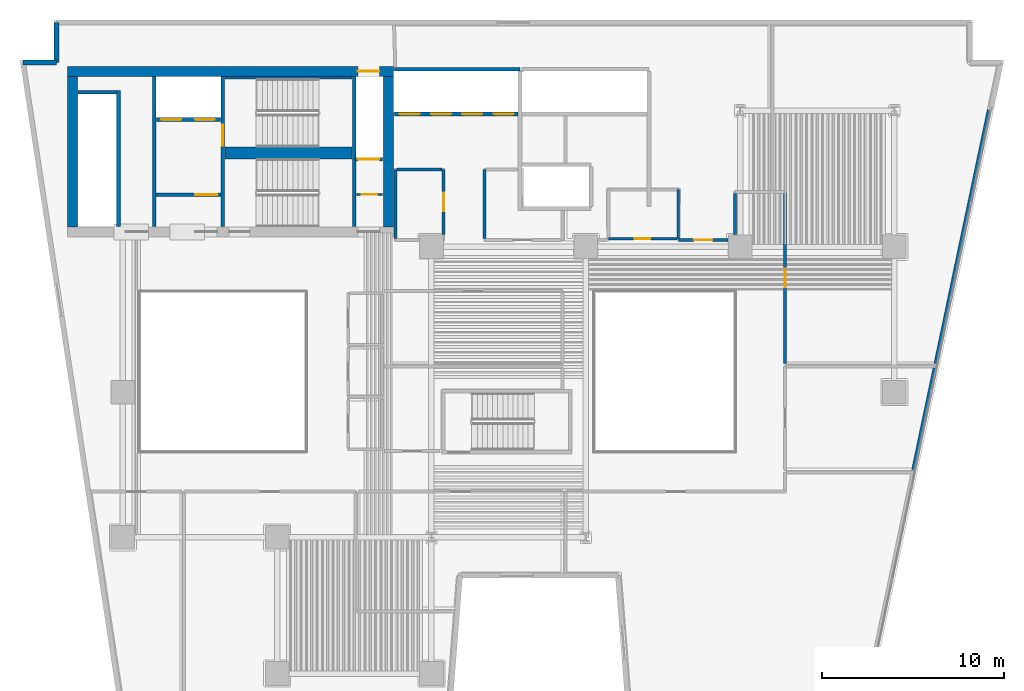
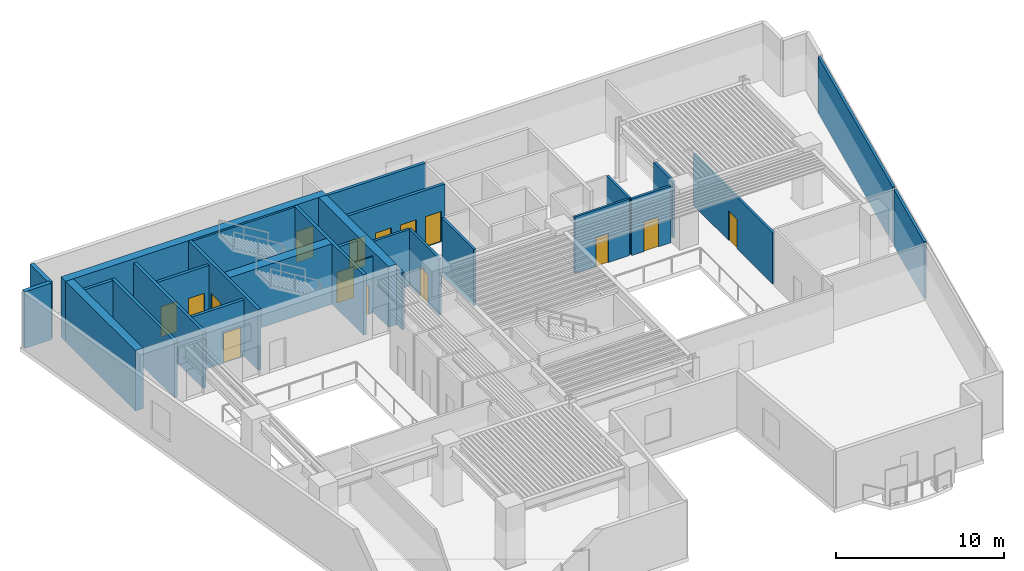
# One storey, part 5 of 11: 29 walls, 15 doors, 15 openings.
"""IFC4 building model written with IfcOpenShell, lengths in metres."""

from ifc_helpers import new_model, si_unit, direction, frame, frame_2d, origin, place, context, subcontext, project, spatial, rectangle, extrude, material, layer, layer_set, type_object, element, fill, save


model = new_model("IFC4")

# Units and contexts
model_context = context("Model", 3, precision=1e-05, world=origin(), true_north=direction((0.0, 1.0)))
body_context = subcontext(model_context, "Body", "Model", "MODEL_VIEW")
ifc_project = project(units=[si_unit("LENGTHUNIT", "METRE"), si_unit("AREAUNIT", "SQUARE_METRE"), si_unit("VOLUMEUNIT", "CUBIC_METRE"), si_unit("PLANEANGLEUNIT", "RADIAN"), si_unit("MASSUNIT", "GRAM", prefix="KILO")], contexts=[model_context])

# Site, building, storey
site_placement = place(None, origin())
site = spatial("IfcSite", under=ifc_project, at=site_placement, CompositionType="ELEMENT")
building_placement = place(site_placement, origin())
building = spatial("IfcBuilding", under=site, at=building_placement, Name="Caeloran Harvest Quay", CompositionType="ELEMENT")
storey_placement = place(building_placement, frame((0.0, 0.0, 75.39990234375)))
storey = spatial("IfcBuildingStorey", under=building, at=storey_placement, Name="L17", CompositionType="ELEMENT", Elevation=75.39990234375)

# Walls
ifc_material_1 = material(Name="Precast concrete C50/60", Category="concrete")
ifc_layer_1 = layer(ifc_material_1, 0.280029296875, Name="Precast concrete C50/60")
ifc_layer_set_1 = layer_set([ifc_layer_1], Name="Precast concrete C50/60")
wall_type_1 = type_object("IfcWallType", Name="ENV-WALL-EW-280", PredefinedType="STANDARD", material=ifc_layer_set_1)
wall_1_placement = place(storey_placement, frame((2.99755859375, 41.159912109375, 0.0), z_axis=(0.0, 0.0, 1.0), x_axis=(1.0, 0.0, 0.0)))
element("IfcWall", 1, at=wall_1_placement, inside=storey, type_object=wall_type_1, Name="L17 Exterior Precast Concrete Facade Wall 4", PredefinedType="STANDARD", context=body_context, shape_type="SweptSolid", body=[
    extrude(rectangle(XDim=1.842529296875, YDim=0.280029296875, at=frame_2d((0.92138671875, 0.0))), origin(), (0.0, 0.0, 1.0), 4.114990234375),
])
wall_2_placement = place(storey_placement, frame((4.840087890625, 41.159912109375, 0.0), z_axis=(0.0, 0.0, 1.0), x_axis=(0.0, 1.0, 0.0)))
element("IfcWall", 2, at=wall_2_placement, inside=storey, type_object=wall_type_1, Name="L17 Exterior Precast Concrete Facade Wall 5", PredefinedType="STANDARD", context=body_context, shape_type="SweptSolid", body=[
    extrude(rectangle(XDim=2.2001953125, YDim=0.280029296875, at=frame_2d((1.10009765625, 0.0))), origin(), (0.0, 0.0, 1.0), 4.114990234375),
])

# Wall, opening, door
ifc_material_2 = material(Name="Fire-Resisting Gypsum Core Riser Partition", Category="gypsum")
ifc_layer_2 = layer(ifc_material_2, 0.10009765625, Name="Fire-Resisting Gypsum Core Riser Partition")
ifc_layer_set_2 = layer_set([ifc_layer_2], Name="Fire-Resisting Gypsum Core Riser Partition")
wall_type_2 = type_object("IfcWallType", Name="INT-WALL-PW-100", PredefinedType="PARTITIONING", material=ifc_layer_set_2)
wall_3_placement = place(storey_placement, frame((21.3798828125, 33.889892578125, 0.0), z_axis=(0.0, 0.0, 1.0), x_axis=(1.0, 0.0, 0.0)))
wall_3 = element("IfcWall", 3, at=wall_3_placement, inside=storey, type_object=wall_type_2, Name="L17 Cleaner Store Partition Wall", PredefinedType="PARTITIONING", context=body_context, shape_type="SweptSolid", body=[
    extrude(rectangle(XDim=1.420166015625, YDim=0.10009765625, at=frame_2d((0.7099609375, 0.0))), origin(), (0.0, 0.0, 1.0), 4.114990234375),
])
opening_1_placement = place(wall_3_placement, frame((0.280029296875, 0.0, 0.0)))
opening_1 = element("IfcOpeningElement", 4, at=opening_1_placement, cuts=wall_3, Name="Opening SV-01", PredefinedType="OPENING", context=body_context, shape_type="SweptSolid", body=[
    extrude(rectangle(XDim=0.85009765625, YDim=2.10009765625, at=frame_2d((0.425048828125, 1.050048828125))), frame((0.0, 0.06005859375, 0.0), z_axis=(0.0, -1.0, 0.0), x_axis=(1.0, 0.0, 0.0)), (0.0, 0.0, 1.0), 0.1201171875),
])
ifc_material_3 = material(Name="Galvanized Painted Steel", Category="steel")
door_type_1 = type_object("IfcDoorType", Name="INTDOOR-SV-01", OperationType="NOTDEFINED", PredefinedType="DOOR", material=ifc_material_3)
door_1_placement = place(opening_1_placement, origin())
door_1 = element("IfcDoor", 5, at=door_1_placement, inside=storey, type_object=door_type_1, Name="L17 Cleaner Supply Store Access Door", OperationType="SINGLE_SWING_RIGHT", OverallHeight=2.10009765625, OverallWidth=0.85009765625, PredefinedType="DOOR", context=body_context, shape_type="SweptSolid", body=[
    extrude(rectangle(XDim=0.85009765625, YDim=2.10009765625, at=frame_2d((0.425048828125, 1.050048828125))), frame((0.0, 0.02490234375, 0.0), z_axis=(0.0, -1.0, 0.0), x_axis=(1.0, 0.0, 0.0)), (0.0, 0.0, 1.0), 0.050048828125),
])
fill(opening_1, door_1)

# Wall
ifc_material_4 = material(Name="Autoclaved Aerated Concrete Blockwork and Plasterboard", Category="masonry")
ifc_layer_3 = layer(ifc_material_4, 0.14990234375, Name="Autoclaved Aerated Concrete Blockwork and Plasterboard")
ifc_layer_set_3 = layer_set([ifc_layer_3], Name="Autoclaved Aerated Concrete Blockwork and Plasterboard")
wall_type_3 = type_object("IfcWallType", Name="INT-WALL-PW-150", PredefinedType="PARTITIONING", material=ifc_layer_set_3)
wall_4_placement = place(storey_placement, frame((39.10009765625, 34.14990234375, 0.0), z_axis=(0.0, 0.0, 1.0), x_axis=(0.0, -1.0, 0.0)))
element("IfcWall", 6, at=wall_4_placement, inside=storey, type_object=wall_type_3, Name="L17 Core Auxiliary Equipment Room Partition Wall", PredefinedType="PARTITIONING", context=body_context, shape_type="SweptSolid", body=[
    extrude(rectangle(XDim=2.699951171875, YDim=0.14990234375, at=frame_2d((1.35009765625, 0.0))), origin(), (0.0, 0.0, 1.0), 4.114990234375),
])

# Wall, opening, door
wall_5_placement = place(storey_placement, frame((39.02001953125, 31.449951171875, 0.0), z_axis=(0.0, 0.0, 1.0), x_axis=(-1.0, 0.0, 0.0)))
wall_5 = element("IfcWall", 7, at=wall_5_placement, inside=storey, type_object=wall_type_3, Name="L17 Core Auxiliary Equipment Room Partition Wall", PredefinedType="PARTITIONING", context=body_context, shape_type="SweptSolid", body=[
    extrude(rectangle(XDim=3.77001953125, YDim=0.14990234375, at=frame_2d((1.885009765625, 0.0))), origin(), (0.0, 0.0, 1.0), 4.114990234375),
])
opening_2_placement = place(wall_5_placement, frame((1.4599609375, 0.0, 0.0)))
opening_2 = element("IfcOpeningElement", 8, at=opening_2_placement, cuts=wall_5, Name="Opening SV-01", PredefinedType="OPENING", context=body_context, shape_type="SweptSolid", body=[
    extrude(rectangle(XDim=0.85009765625, YDim=2.10009765625, at=frame_2d((0.425048828125, 1.050048828125))), frame((0.0, 0.0849609375, 0.0), z_axis=(0.0, -1.0, 0.0), x_axis=(1.0, 0.0, 0.0)), (0.0, 0.0, 1.0), 0.169921875),
])
door_2_placement = place(opening_2_placement, origin())
door_2 = element("IfcDoor", 9, at=door_2_placement, inside=storey, type_object=door_type_1, Name="L17 Core Auxiliary Equipment Room Access Door", OperationType="SINGLE_SWING_LEFT", OverallHeight=2.10009765625, OverallWidth=0.85009765625, PredefinedType="DOOR", context=body_context, shape_type="SweptSolid", body=[
    extrude(rectangle(XDim=0.85009765625, YDim=2.10009765625, at=frame_2d((0.425048828125, 1.050048828125))), frame((0.0, 0.02490234375, 0.0), z_axis=(0.0, -1.0, 0.0), x_axis=(1.0, 0.0, 0.0)), (0.0, 0.0, 1.0), 0.050048828125),
])
fill(opening_2, door_2)

# Walls
ifc_material_5 = material(Name="Autoclaved Aerated Concrete Blockwork", Category="masonry")
ifc_layer_4 = layer(ifc_material_5, 0.1650390625, Name="Autoclaved Aerated Concrete Blockwork")
ifc_layer_set_4 = layer_set([ifc_layer_4], Name="Autoclaved Aerated Concrete Blockwork")
wall_type_4 = type_object("IfcWallType", Name="INT-WALL-PW-165", PredefinedType="PARTITIONING", material=ifc_layer_set_4)
wall_6_placement = place(storey_placement, frame((53.20751953125, 24.33251953125, 0.0), z_axis=(0.0, 0.0, 1.0), x_axis=(-0.20551396666, -0.978654182798, 0.0)))
element("IfcWall", 10, at=wall_6_placement, inside=storey, type_object=wall_type_4, Name="Packaging Crate Laboratory Partition Wall", PredefinedType="PARTITIONING", context=body_context, shape_type="SweptSolid", body=[
    extrude(rectangle(XDim=5.724853515625, YDim=0.1650390625, at=frame_2d((2.8623046875, 0.0))), origin(), (0.0, 0.0, 1.0), 4.114990234375),
])
wall_7_placement = place(storey_placement, frame((28.429931640625, 31.467529296875, 0.0), z_axis=(0.0, 0.0, 1.0), x_axis=(0.0, 1.0, 0.0)))
element("IfcWall", 11, at=wall_7_placement, inside=storey, type_object=wall_type_4, Name="Staff Wellness Lounge Partition Wall", PredefinedType="PARTITIONING", context=body_context, shape_type="SweptSolid", body=[
    extrude(rectangle(XDim=3.802490234375, YDim=0.1650390625, at=frame_2d((1.9013671875, 0.0))), origin(), (0.0, 0.0, 1.0), 4.114990234375),
])

# Wall, opening, door
wall_8_placement = place(storey_placement, frame((26.169921875, 35.27001953125, 0.0), z_axis=(0.0, 0.0, 1.0), x_axis=(0.0, -1.0, 0.0)))
wall_8 = element("IfcWall", 12, at=wall_8_placement, inside=storey, type_object=wall_type_4, Name="Dwarf Citrus Mezzanine Growing Hall 9 Partition Wall", PredefinedType="PARTITIONING", context=body_context, shape_type="SweptSolid", body=[
    extrude(rectangle(XDim=3.594970703125, YDim=0.1650390625, at=frame_2d((1.79736328125, 0.0))), origin(), (0.0, 0.0, 1.0), 4.114990234375),
])
opening_3_placement = place(wall_8_placement, frame((1.297607421875, 0.0, 0.0)))
opening_3 = element("IfcOpeningElement", 13, at=opening_3_placement, cuts=wall_8, Name="Opening ID-01", PredefinedType="OPENING", context=body_context, shape_type="SweptSolid", body=[
    extrude(rectangle(XDim=1.0, YDim=2.14990234375, at=frame_2d((0.5, 1.074951171875))), frame((0.0, 0.092529296875, 0.0), z_axis=(0.0, -1.0, 0.0), x_axis=(1.0, 0.0, 0.0)), (0.0, 0.0, 1.0), 0.18505859375),
])
ifc_material_6 = material(Name="FSC Solid-Core Ash Timber and Acoustic Seal", Category="wood")
door_type_2 = type_object("IfcDoorType", Name="INTDOOR-ID-01", OperationType="NOTDEFINED", PredefinedType="DOOR", material=ifc_material_6)
door_3_placement = place(opening_3_placement, origin())
door_3 = element("IfcDoor", 14, at=door_3_placement, inside=storey, type_object=door_type_2, Name="Dwarf Citrus Mezzanine Growing Hall 9 Access Door", OperationType="SINGLE_SWING_RIGHT", OverallHeight=2.14990234375, OverallWidth=1.0, PredefinedType="DOOR", context=body_context, shape_type="SweptSolid", body=[
    extrude(rectangle(XDim=1.0, YDim=2.14990234375, at=frame_2d((0.5, 1.074951171875))), frame((0.0, 0.02490234375, 0.0), z_axis=(0.0, -1.0, 0.0), x_axis=(1.0, 0.0, 0.0)), (0.0, 0.0, 1.0), 0.050048828125),
])
fill(opening_3, door_3)

# Walls
wall_9_placement = place(storey_placement, frame((23.510009765625, 31.467529296875, 0.0), z_axis=(0.0, 0.0, 1.0), x_axis=(0.0, 1.0, 0.0)))
element("IfcWall", 15, at=wall_9_placement, inside=storey, type_object=wall_type_4, Name="Dwarf Citrus Mezzanine Growing Hall 9 Partition Wall", PredefinedType="PARTITIONING", context=body_context, shape_type="SweptSolid", body=[
    extrude(rectangle(XDim=3.804443359375, YDim=0.1650390625, at=frame_2d((1.90234375, 0.0))), origin(), (0.0, 0.0, 1.0), 4.114990234375),
])
wall_10_placement = place(storey_placement, frame((23.597412109375, 35.27001953125, 0.0), z_axis=(0.0, 0.0, 1.0), x_axis=(1.0, 0.0, 0.0)))
element("IfcWall", 16, at=wall_10_placement, inside=storey, type_object=wall_type_4, Name="Dwarf Citrus Mezzanine Growing Hall 9 Partition Wall", PredefinedType="PARTITIONING", context=body_context, shape_type="SweptSolid", body=[
    extrude(rectangle(XDim=2.485107421875, YDim=0.1650390625, at=frame_2d((1.24267578125, 0.0))), origin(), (0.0, 0.0, 1.0), 4.114990234375),
])
wall_11_placement = place(storey_placement, frame((56.1943359375, 38.547607421875, 0.0), z_axis=(0.0, 0.0, 1.0), x_axis=(-0.205594071113, -0.978637357719, 0.0)))
element("IfcWall", 17, at=wall_11_placement, inside=storey, type_object=wall_type_4, Name="Medicinal Plant Aeroponic Room 10 Partition Wall", PredefinedType="PARTITIONING", context=body_context, shape_type="SweptSolid", body=[
    extrude(rectangle(XDim=14.2724609375, YDim=0.1650390625, at=frame_2d((7.13623046875, 0.0))), origin(), (0.0, 0.0, 1.0), 4.114990234375),
])

# Wall, opening, door
wall_12_placement = place(storey_placement, frame((44.97998046875, 24.580078125, 0.0), z_axis=(0.0, 0.0, 1.0), x_axis=(0.0, 1.0, 0.0)))
wall_12 = element("IfcWall", 18, at=wall_12_placement, inside=storey, type_object=wall_type_4, Name="Medicinal Plant Aeroponic Room 10 Partition Wall", PredefinedType="PARTITIONING", context=body_context, shape_type="SweptSolid", body=[
    extrude(rectangle(XDim=9.419921875, YDim=0.1650390625, at=frame_2d((4.7099609375, 0.0))), origin(), (0.0, 0.0, 1.0), 3.739990234375),
])
opening_4_placement = place(wall_12_placement, frame((4.2099609375, 0.0, 0.0)))
opening_4 = element("IfcOpeningElement", 19, at=opening_4_placement, cuts=wall_12, Name="Opening ID-01", PredefinedType="OPENING", context=body_context, shape_type="SweptSolid", body=[
    extrude(rectangle(XDim=1.0, YDim=2.14990234375, at=frame_2d((0.5, 1.074951171875))), frame((0.0, 0.092529296875, 0.0), z_axis=(0.0, -1.0, 0.0), x_axis=(1.0, 0.0, 0.0)), (0.0, 0.0, 1.0), 0.18505859375),
])
door_4_placement = place(opening_4_placement, origin())
door_4 = element("IfcDoor", 20, at=door_4_placement, inside=storey, type_object=door_type_2, Name="Medicinal Plant Aeroponic Room 10 Access Door", OperationType="SINGLE_SWING_LEFT", OverallHeight=2.14990234375, OverallWidth=1.0, PredefinedType="DOOR", context=body_context, shape_type="SweptSolid", body=[
    extrude(rectangle(XDim=1.0, YDim=2.14990234375, at=frame_2d((0.5, 1.074951171875))), frame((0.0, 0.02490234375, 0.0), z_axis=(0.0, -1.0, 0.0), x_axis=(1.0, 0.0, 0.0)), (0.0, 0.0, 1.0), 0.050048828125),
])
fill(opening_4, door_4)

# Wall
wall_13_placement = place(storey_placement, frame((42.219970703125, 33.9423828125, 0.0), z_axis=(0.0, 0.0, 1.0), x_axis=(0.0, -1.0, 0.0)))
element("IfcWall", 21, at=wall_13_placement, inside=storey, type_object=wall_type_4, Name="Photobiology Spectrum Laboratory 11 Partition Wall", PredefinedType="PARTITIONING", context=body_context, shape_type="SweptSolid", body=[
    extrude(rectangle(XDim=2.267333984375, YDim=0.1650390625, at=frame_2d((1.1337890625, 0.0))), origin(), (0.0, 0.0, 1.0), 4.114990234375),
])

# Wall, opening, door
wall_14_placement = place(storey_placement, frame((41.824951171875, 31.3798828125, 0.0), z_axis=(0.0, 0.0, 1.0), x_axis=(-1.0, 0.0, 0.0)))
wall_14 = element("IfcWall", 22, at=wall_14_placement, inside=storey, type_object=wall_type_4, Name="Photobiology Spectrum Laboratory 11 Partition Wall", PredefinedType="PARTITIONING", context=body_context, shape_type="SweptSolid", body=[
    extrude(rectangle(XDim=2.71044921875, YDim=0.1650390625, at=frame_2d((1.355224609375, 0.0))), origin(), (0.0, 0.0, 1.0), 4.114990234375),
])
opening_5_placement = place(wall_14_placement, frame((0.855224609375, 0.0, 0.0)))
opening_5 = element("IfcOpeningElement", 23, at=opening_5_placement, cuts=wall_14, Name="Opening ID-01", PredefinedType="OPENING", context=body_context, shape_type="SweptSolid", body=[
    extrude(rectangle(XDim=1.0, YDim=2.14990234375, at=frame_2d((0.5, 1.074951171875))), frame((0.0, 0.092529296875, 0.0), z_axis=(0.0, -1.0, 0.0), x_axis=(1.0, 0.0, 0.0)), (0.0, 0.0, 1.0), 0.18505859375),
])
door_5_placement = place(opening_5_placement, origin())
door_5 = element("IfcDoor", 24, at=door_5_placement, inside=storey, type_object=door_type_2, Name="Photobiology Spectrum Laboratory 11 Access Door", OperationType="SINGLE_SWING_RIGHT", OverallHeight=2.14990234375, OverallWidth=1.0, PredefinedType="DOOR", context=body_context, shape_type="SweptSolid", body=[
    extrude(rectangle(XDim=1.0, YDim=2.14990234375, at=frame_2d((0.5, 1.074951171875))), frame((0.0, 0.02490234375, 0.0), z_axis=(0.0, -1.0, 0.0), x_axis=(1.0, 0.0, 0.0)), (0.0, 0.0, 1.0), 0.050048828125),
])
fill(opening_5, door_5)

# Walls
ifc_material_7 = material(Name="Concrete C50/60", Category="concrete")
ifc_layer_5 = layer(ifc_material_7, 0.199951171875, Name="Concrete C50/60")
ifc_layer_set_5 = layer_set([ifc_layer_5], Name="Concrete C50/60")
wall_type_5 = type_object("IfcWallType", Name="INT-WALL-SW-200", PredefinedType="PARTITIONING", material=ifc_layer_set_5)
wall_15_placement = place(storey_placement, frame((8.260009765625, 32.1201171875, 0.0), z_axis=(0.0, 0.0, 1.0), x_axis=(0.0, 1.0, 0.0)))
element("IfcWall", 25, at=wall_15_placement, inside=storey, type_object=wall_type_5, Name="L17 Bank 3 Lift Shaft Wall", PredefinedType="PARTITIONING", context=body_context, shape_type="SweptSolid", body=[
    extrude(rectangle(XDim=7.5, YDim=0.199951171875, at=frame_2d((3.75, 0.0))), origin(), (0.0, 0.0, 1.0), 4.114990234375),
])
wall_16_placement = place(storey_placement, frame((6.02001953125, 39.52001953125, 0.0), z_axis=(0.0, 0.0, 1.0), x_axis=(1.0, 0.0, 0.0)))
element("IfcWall", 26, at=wall_16_placement, inside=storey, type_object=wall_type_5, Name="L17 Bank 3 Lift Shaft North End Wall", PredefinedType="PARTITIONING", context=body_context, shape_type="SweptSolid", body=[
    extrude(rectangle(XDim=2.119873046875, YDim=0.199951171875, at=frame_2d((1.06005859375, 0.0))), origin(), (0.0, 0.0, 1.0), 4.114990234375),
])
wall_17_placement = place(storey_placement, frame((10.219970703125, 32.1201171875, 0.0), z_axis=(0.0, 0.0, 1.0), x_axis=(0.0, 1.0, 0.0)))
element("IfcWall", 27, at=wall_17_placement, inside=storey, type_object=wall_type_5, Name="L17 Core Lobby Compartment Wall", PredefinedType="PARTITIONING", context=body_context, shape_type="SweptSolid", body=[
    extrude(rectangle(XDim=8.259765625, YDim=0.199951171875, at=frame_2d((4.1298828125, 0.0))), origin(), (0.0, 0.0, 1.0), 4.114990234375),
])

# Wall, openings, doors
wall_18_placement = place(storey_placement, frame((10.340087890625, 38.02001953125, 0.0), z_axis=(0.0, 0.0, 1.0), x_axis=(1.0, 0.0, 0.0)))
wall_18 = element("IfcWall", 28, at=wall_18_placement, inside=storey, type_object=wall_type_5, Name="L17 Firefighting Lift Shaft Wall", PredefinedType="PARTITIONING", context=body_context, shape_type="SweptSolid", body=[
    extrude(rectangle(XDim=3.539794921875, YDim=0.199951171875, at=frame_2d((1.77001953125, 0.0))), origin(), (0.0, 0.0, 1.0), 4.114990234375),
])
opening_6_placement = place(wall_18_placement, frame((0.284912109375, 0.0, 0.0)))
opening_6 = element("IfcOpeningElement", 29, at=opening_6_placement, cuts=wall_18, Name="Opening LD-01", PredefinedType="OPENING", context=body_context, shape_type="SweptSolid", body=[
    extrude(rectangle(XDim=1.10009765625, YDim=2.199951171875, at=frame_2d((0.550048828125, 1.10009765625))), frame((0.0, 0.10986328125, 0.0), z_axis=(0.0, -1.0, 0.0), x_axis=(1.0, 0.0, 0.0)), (0.0, 0.0, 1.0), 0.219970703125),
])
opening_7_placement = place(wall_18_placement, frame((2.135009765625, 0.0, 0.0)))
opening_7 = element("IfcOpeningElement", 30, at=opening_7_placement, cuts=wall_18, Name="Opening LD-01", PredefinedType="OPENING", context=body_context, shape_type="SweptSolid", body=[
    extrude(rectangle(XDim=1.10009765625, YDim=2.199951171875, at=frame_2d((0.550048828125, 1.10009765625))), frame((0.0, 0.10986328125, 0.0), z_axis=(0.0, -1.0, 0.0), x_axis=(1.0, 0.0, 0.0)), (0.0, 0.0, 1.0), 0.219970703125),
])
ifc_material_8 = material(Name="Stainless Steel Grade 316", Category="steel")
door_type_3 = type_object("IfcDoorType", Name="INTDOOR-LD-01", OperationType="NOTDEFINED", PredefinedType="DOOR", material=ifc_material_8)
door_6_placement = place(opening_6_placement, origin())
door_6 = element("IfcDoor", 31, at=door_6_placement, inside=storey, type_object=door_type_3, Name="Lift FF-1 Sliding Landing Door (L17)", OperationType="DOUBLE_DOOR_SLIDING", OverallHeight=2.199951171875, OverallWidth=1.10009765625, PredefinedType="DOOR", context=body_context, shape_type="SweptSolid", body=[
    extrude(rectangle(XDim=1.10009765625, YDim=2.199951171875, at=frame_2d((0.550048828125, 1.10009765625))), frame((0.0, 0.02490234375, 0.0), z_axis=(0.0, -1.0, 0.0), x_axis=(1.0, 0.0, 0.0)), (0.0, 0.0, 1.0), 0.050048828125),
])
fill(opening_6, door_6)
door_7_placement = place(opening_7_placement, origin())
door_7 = element("IfcDoor", 32, at=door_7_placement, inside=storey, type_object=door_type_3, Name="Lift FF-2 Sliding Landing Door (L17)", OperationType="DOUBLE_DOOR_SLIDING", OverallHeight=2.199951171875, OverallWidth=1.10009765625, PredefinedType="DOOR", context=body_context, shape_type="SweptSolid", body=[
    extrude(rectangle(XDim=1.10009765625, YDim=2.199951171875, at=frame_2d((0.550048828125, 1.10009765625))), frame((0.0, 0.02490234375, 0.0), z_axis=(0.0, -1.0, 0.0), x_axis=(1.0, 0.0, 0.0)), (0.0, 0.0, 1.0), 0.050048828125),
])
fill(opening_7, door_7)

# Wall, opening, door
wall_19_placement = place(storey_placement, frame((10.340087890625, 33.8798828125, 0.0), z_axis=(0.0, 0.0, 1.0), x_axis=(1.0, 0.0, 0.0)))
wall_19 = element("IfcWall", 33, at=wall_19_placement, inside=storey, type_object=wall_type_5, Name="L17 Firefighting Lift Lobby Enclosure Wall", PredefinedType="PARTITIONING", context=body_context, shape_type="SweptSolid", body=[
    extrude(rectangle(XDim=3.559814453125, YDim=0.199951171875, at=frame_2d((1.77978515625, 0.0))), origin(), (0.0, 0.0, 1.0), 4.114990234375),
])
opening_8_placement = place(wall_19_placement, frame((2.14990234375, 0.0, 0.0)))
opening_8 = element("IfcOpeningElement", 34, at=opening_8_placement, cuts=wall_19, Name="Opening FD-01", PredefinedType="OPENING", context=body_context, shape_type="SweptSolid", body=[
    extrude(rectangle(XDim=1.199951171875, YDim=2.199951171875, at=frame_2d((0.60009765625, 1.10009765625))), frame((0.0, 0.10986328125, 0.0), z_axis=(0.0, -1.0, 0.0), x_axis=(1.0, 0.0, 0.0)), (0.0, 0.0, 1.0), 0.219970703125),
])
ifc_material_9 = material(Name="Steel", Category="steel")
door_type_4 = type_object("IfcDoorType", Name="INTDOOR-FD-01", OperationType="NOTDEFINED", PredefinedType="DOOR", material=ifc_material_9)
door_8_placement = place(opening_8_placement, origin())
door_8 = element("IfcDoor", 35, at=door_8_placement, inside=storey, type_object=door_type_4, Name="L17 Firefighting Lift Lobby Smoke-Seal Fire Door", OperationType="SINGLE_SWING_LEFT", OverallHeight=2.199951171875, OverallWidth=1.199951171875, PredefinedType="DOOR", context=body_context, shape_type="SweptSolid", body=[
    extrude(rectangle(XDim=1.199951171875, YDim=2.199951171875, at=frame_2d((0.60009765625, 1.10009765625))), frame((0.0, 0.02490234375, 0.0), z_axis=(0.0, -1.0, 0.0), x_axis=(1.0, 0.0, 0.0)), (0.0, 0.0, 1.0), 0.050048828125),
])
fill(opening_8, door_8)

wall_20_placement = place(storey_placement, frame((21.300048828125, 35.820068359375, 0.0), z_axis=(0.0, 0.0, 1.0), x_axis=(1.0, 0.0, 0.0)))
wall_20 = element("IfcWall", 36, at=wall_20_placement, inside=storey, type_object=wall_type_5, Name="L17 Service Lift SV-2 Shaft Wall", PredefinedType="PARTITIONING", context=body_context, shape_type="SweptSolid", body=[
    extrude(rectangle(XDim=1.5, YDim=0.199951171875, at=frame_2d((0.75, 0.0))), origin(), (0.0, 0.0, 1.0), 4.114990234375),
])
opening_9_placement = place(wall_20_placement, frame((0.14501953125, 0.0, 0.0)))
opening_9 = element("IfcOpeningElement", 37, at=opening_9_placement, cuts=wall_20, Name="Opening LD-02", PredefinedType="OPENING", context=body_context, shape_type="SweptSolid", body=[
    extrude(rectangle(XDim=1.179931640625, YDim=2.25, at=frame_2d((0.58984375, 1.125))), frame((0.0, 0.10986328125, 0.0), z_axis=(0.0, -1.0, 0.0), x_axis=(1.0, 0.0, 0.0)), (0.0, 0.0, 1.0), 0.219970703125),
])
door_type_5 = type_object("IfcDoorType", Name="INTDOOR-LD-02", OperationType="NOTDEFINED", PredefinedType="DOOR", material=ifc_material_8)
door_9_placement = place(opening_9_placement, origin())
door_9 = element("IfcDoor", 38, at=door_9_placement, inside=storey, type_object=door_type_5, Name="Lift SV-2 Sliding Landing Door (L17)", OperationType="DOUBLE_DOOR_SLIDING", OverallHeight=2.25, OverallWidth=1.179931640625, PredefinedType="DOOR", context=body_context, shape_type="SweptSolid", body=[
    extrude(rectangle(XDim=1.179931640625, YDim=2.25, at=frame_2d((0.58984375, 1.125))), frame((0.0, 0.02490234375, 0.0), z_axis=(0.0, -1.0, 0.0), x_axis=(1.0, 0.0, 0.0)), (0.0, 0.0, 1.0), 0.050048828125),
])
fill(opening_9, door_9)

# Wall
wall_21_placement = place(storey_placement, frame((23.469970703125, 40.780029296875, 0.0), z_axis=(0.0, 0.0, 1.0), x_axis=(1.0, 0.0, 0.0)))
element("IfcWall", 39, at=wall_21_placement, inside=storey, type_object=wall_type_5, Name="L17 Bank 1 Lift Shaft North Wall", PredefinedType="PARTITIONING", context=body_context, shape_type="SweptSolid", body=[
    extrude(rectangle(XDim=6.909912109375, YDim=0.199951171875, at=frame_2d((3.455078125, 0.0))), origin(), (0.0, 0.0, 1.0), 4.114990234375),
])

# Wall, openings, doors
wall_22_placement = place(storey_placement, frame((23.469970703125, 38.320068359375, 0.0), z_axis=(0.0, 0.0, 1.0), x_axis=(1.0, 0.0, 0.0)))
wall_22 = element("IfcWall", 40, at=wall_22_placement, inside=storey, type_object=wall_type_5, Name="L17 Bank 1 Lift Landing Front Wall", PredefinedType="PARTITIONING", context=body_context, shape_type="SweptSolid", body=[
    extrude(rectangle(XDim=6.7900390625, YDim=0.199951171875, at=frame_2d((3.39501953125, 0.0))), origin(), (0.0, 0.0, 1.0), 4.114990234375),
])
opening_10_placement = place(wall_22_placement, frame((0.2900390625, 0.0, 0.0)))
opening_10 = element("IfcOpeningElement", 41, at=opening_10_placement, cuts=wall_22, Name="Opening LD-01", PredefinedType="OPENING", context=body_context, shape_type="SweptSolid", body=[
    extrude(rectangle(XDim=1.10009765625, YDim=2.199951171875, at=frame_2d((0.550048828125, 1.10009765625))), frame((0.0, 0.10986328125, 0.0), z_axis=(0.0, -1.0, 0.0), x_axis=(1.0, 0.0, 0.0)), (0.0, 0.0, 1.0), 0.219970703125),
])
opening_11_placement = place(wall_22_placement, frame((2.010009765625, 0.0, 0.0)))
opening_11 = element("IfcOpeningElement", 42, at=opening_11_placement, cuts=wall_22, Name="Opening LD-01", PredefinedType="OPENING", context=body_context, shape_type="SweptSolid", body=[
    extrude(rectangle(XDim=1.10009765625, YDim=2.199951171875, at=frame_2d((0.550048828125, 1.10009765625))), frame((0.0, 0.10986328125, 0.0), z_axis=(0.0, -1.0, 0.0), x_axis=(1.0, 0.0, 0.0)), (0.0, 0.0, 1.0), 0.219970703125),
])
opening_12_placement = place(wall_22_placement, frame((3.72998046875, 0.0, 0.0)))
opening_12 = element("IfcOpeningElement", 43, at=opening_12_placement, cuts=wall_22, Name="Opening LD-01", PredefinedType="OPENING", context=body_context, shape_type="SweptSolid", body=[
    extrude(rectangle(XDim=1.10009765625, YDim=2.199951171875, at=frame_2d((0.550048828125, 1.10009765625))), frame((0.0, 0.10986328125, 0.0), z_axis=(0.0, -1.0, 0.0), x_axis=(1.0, 0.0, 0.0)), (0.0, 0.0, 1.0), 0.219970703125),
])
opening_13_placement = place(wall_22_placement, frame((5.449951171875, 0.0, 0.0)))
opening_13 = element("IfcOpeningElement", 44, at=opening_13_placement, cuts=wall_22, Name="Opening LD-01", PredefinedType="OPENING", context=body_context, shape_type="SweptSolid", body=[
    extrude(rectangle(XDim=1.10009765625, YDim=2.199951171875, at=frame_2d((0.550048828125, 1.10009765625))), frame((0.0, 0.10986328125, 0.0), z_axis=(0.0, -1.0, 0.0), x_axis=(1.0, 0.0, 0.0)), (0.0, 0.0, 1.0), 0.219970703125),
])
door_10_placement = place(opening_10_placement, origin())
door_10 = element("IfcDoor", 45, at=door_10_placement, inside=storey, type_object=door_type_3, Name="Lift P1-1 Sliding Landing Door (L17)", OperationType="DOUBLE_DOOR_SLIDING", OverallHeight=2.199951171875, OverallWidth=1.10009765625, PredefinedType="DOOR", context=body_context, shape_type="SweptSolid", body=[
    extrude(rectangle(XDim=1.10009765625, YDim=2.199951171875, at=frame_2d((0.550048828125, 1.10009765625))), frame((0.0, 0.02490234375, 0.0), z_axis=(0.0, -1.0, 0.0), x_axis=(1.0, 0.0, 0.0)), (0.0, 0.0, 1.0), 0.050048828125),
])
fill(opening_10, door_10)
door_11_placement = place(opening_11_placement, origin())
door_11 = element("IfcDoor", 46, at=door_11_placement, inside=storey, type_object=door_type_3, Name="Lift P1-2 Sliding Landing Door (L17)", OperationType="DOUBLE_DOOR_SLIDING", OverallHeight=2.199951171875, OverallWidth=1.10009765625, PredefinedType="DOOR", context=body_context, shape_type="SweptSolid", body=[
    extrude(rectangle(XDim=1.10009765625, YDim=2.199951171875, at=frame_2d((0.550048828125, 1.10009765625))), frame((0.0, 0.02490234375, 0.0), z_axis=(0.0, -1.0, 0.0), x_axis=(1.0, 0.0, 0.0)), (0.0, 0.0, 1.0), 0.050048828125),
])
fill(opening_11, door_11)
door_12_placement = place(opening_12_placement, origin())
door_12 = element("IfcDoor", 47, at=door_12_placement, inside=storey, type_object=door_type_3, Name="Lift P1-3 Sliding Landing Door (L17)", OperationType="DOUBLE_DOOR_SLIDING", OverallHeight=2.199951171875, OverallWidth=1.10009765625, PredefinedType="DOOR", context=body_context, shape_type="SweptSolid", body=[
    extrude(rectangle(XDim=1.10009765625, YDim=2.199951171875, at=frame_2d((0.550048828125, 1.10009765625))), frame((0.0, 0.02490234375, 0.0), z_axis=(0.0, -1.0, 0.0), x_axis=(1.0, 0.0, 0.0)), (0.0, 0.0, 1.0), 0.050048828125),
])
fill(opening_12, door_12)
door_13_placement = place(opening_13_placement, origin())
door_13 = element("IfcDoor", 48, at=door_13_placement, inside=storey, type_object=door_type_3, Name="Lift P1-4 Sliding Landing Door (L17)", OperationType="DOUBLE_DOOR_SLIDING", OverallHeight=2.199951171875, OverallWidth=1.10009765625, PredefinedType="DOOR", context=body_context, shape_type="SweptSolid", body=[
    extrude(rectangle(XDim=1.10009765625, YDim=2.199951171875, at=frame_2d((0.550048828125, 1.10009765625))), frame((0.0, 0.02490234375, 0.0), z_axis=(0.0, -1.0, 0.0), x_axis=(1.0, 0.0, 0.0)), (0.0, 0.0, 1.0), 0.050048828125),
])
fill(opening_13, door_13)

# Wall, opening, door
ifc_material_10 = material(Name="Concrete C80/95", Category="concrete")
ifc_layer_6 = layer(ifc_material_10, 0.550048828125, Name="Concrete C80/95")
ifc_layer_set_6 = layer_set([ifc_layer_6], Name="Concrete C80/95")
wall_type_6 = type_object("IfcWallType", Name="STR-WALL-CW-550", PredefinedType="SHEAR", material=ifc_layer_set_6)
wall_23_placement = place(storey_placement, frame((5.449951171875, 40.675048828125, 0.0), z_axis=(0.0, 0.0, 1.0), x_axis=(1.0, 0.0, 0.0)))
wall_23 = element("IfcWall", 49, at=wall_23_placement, inside=storey, type_object=wall_type_6, Name="L17 Rear Core Shear Wall N", PredefinedType="SHEAR", context=body_context, shape_type="SweptSolid", body=[
    extrude(rectangle(XDim=17.949951171875, YDim=0.550048828125, at=frame_2d((8.97509765625, 0.0))), origin(), (0.0, 0.0, 1.0), 4.400146484375),
])
opening_14_placement = place(wall_23_placement, frame((15.9951171875, 0.0, 0.0)))
opening_14 = element("IfcOpeningElement", 50, at=opening_14_placement, cuts=wall_23, Name="Opening LD-02", PredefinedType="OPENING", context=body_context, shape_type="SweptSolid", body=[
    extrude(rectangle(XDim=1.179931640625, YDim=2.25, at=frame_2d((0.58984375, 1.125))), frame((0.0, 0.28515625, 0.0), z_axis=(0.0, -1.0, 0.0), x_axis=(1.0, 0.0, 0.0)), (0.0, 0.0, 1.0), 0.570068359375),
])
door_14_placement = place(opening_14_placement, origin())
door_14 = element("IfcDoor", 51, at=door_14_placement, inside=storey, type_object=door_type_5, Name="Lift SV-1 Sliding Landing Door (L17)", OperationType="DOUBLE_DOOR_SLIDING", OverallHeight=2.25, OverallWidth=1.179931640625, PredefinedType="DOOR", context=body_context, shape_type="SweptSolid", body=[
    extrude(rectangle(XDim=1.179931640625, YDim=2.25, at=frame_2d((0.58984375, 1.125))), frame((0.0, 0.02490234375, 0.0), z_axis=(0.0, -1.0, 0.0), x_axis=(1.0, 0.0, 0.0)), (0.0, 0.0, 1.0), 0.050048828125),
])
fill(opening_14, door_14)

# Walls
for number, where, z_axis, x_axis, name in (
    (52, (5.72509765625, 32.10009765625, 0.0), (0.0, 0.0, 1.0), (0.0, 1.0, 0.0), "L17 Rear Core Shear Wall W"),
    (53, (23.125, 32.10009765625, 0.0), (0.0, 0.0, 1.0), (0.0, 1.0, 0.0), "L17 Rear Core Shear Wall E"),
):
    element("IfcWall", number, at=place(storey_placement, frame(where, z_axis=z_axis, x_axis=x_axis)), inside=storey, type_object=wall_type_6, Name=name, PredefinedType="SHEAR", context=body_context, shape_type="SweptSolid", body=[
        extrude(rectangle(XDim=8.2998046875, YDim=0.550048828125, at=frame_2d((4.14990234375, 0.0))), origin(), (0.0, 0.0, 1.0), 4.400146484375),
    ])
ifc_material_11 = material(Name="Concrete C60/75", Category="concrete")
ifc_layer_7 = layer(ifc_material_11, 0.64990234375, Name="Concrete C60/75")
ifc_layer_set_7 = layer_set([ifc_layer_7], Name="Concrete C60/75")
wall_type_7 = type_object("IfcWallType", Name="STR-WALL-CW-650", PredefinedType="SHEAR", material=ifc_layer_set_7)
wall_24_placement = place(storey_placement, frame((14.1201171875, 36.175048828125, 0.0), z_axis=(0.0, 0.0, 1.0), x_axis=(1.0, 0.0, 0.0)))
element("IfcWall", 54, at=wall_24_placement, inside=storey, type_object=wall_type_7, Name="L17 Core Stairs Dividing Shear Wall", PredefinedType="SHEAR", context=body_context, shape_type="SweptSolid", body=[
    extrude(rectangle(XDim=7.009765625, YDim=0.64990234375, at=frame_2d((3.5048828125, 0.0))), origin(), (0.0, 0.0, 1.0), 4.400146484375),
])
ifc_layer_8 = layer(ifc_material_11, 0.139892578125, Name="Concrete C60/75")
ifc_layer_set_8 = layer_set([ifc_layer_8], Name="Concrete C60/75")
wall_type_8 = type_object("IfcWallType", Name="STR-WALL-SW-140", PredefinedType="SHEAR", material=ifc_layer_set_8)
wall_25_placement = place(storey_placement, frame((14.1201171875, 40.320068359375, 0.0), z_axis=(0.0, 0.0, 1.0), x_axis=(1.0, 0.0, 0.0)))
element("IfcWall", 55, at=wall_25_placement, inside=storey, type_object=wall_type_8, Name="L17 Core Stair ST-C1 North Bearing Shear Wall", PredefinedType="SHEAR", context=body_context, shape_type="SweptSolid", body=[
    extrude(rectangle(XDim=7.009765625, YDim=0.139892578125, at=frame_2d((3.5048828125, 0.0))), origin(), (0.0, 0.0, 1.0), 4.400146484375),
])

# Wall, opening, door
ifc_layer_9 = layer(ifc_material_11, 0.199951171875, Name="Concrete C60/75")
ifc_layer_set_9 = layer_set([ifc_layer_9], Name="Concrete C60/75")
wall_type_9 = type_object("IfcWallType", Name="STR-WALL-SW-200", PredefinedType="SHEAR", material=ifc_layer_set_9)
wall_26_placement = place(storey_placement, frame((14.0, 32.1201171875, 0.0), z_axis=(0.0, 0.0, 1.0), x_axis=(0.0, 1.0, 0.0)))
wall_26 = element("IfcWall", 56, at=wall_26_placement, inside=storey, type_object=wall_type_9, Name="L17 Core Stair Shaft West Shear Wall", PredefinedType="SHEAR", context=body_context, shape_type="SweptSolid", body=[
    extrude(rectangle(XDim=8.259765625, YDim=0.199951171875, at=frame_2d((4.1298828125, 0.0))), origin(), (0.0, 0.0, 1.0), 4.400146484375),
])
opening_15_placement = place(wall_26_placement, frame((4.4599609375, 0.0, 0.0)))
opening_15 = element("IfcOpeningElement", 57, at=opening_15_placement, cuts=wall_26, Name="Opening SD-01", PredefinedType="OPENING", context=body_context, shape_type="SweptSolid", body=[
    extrude(rectangle(XDim=1.14990234375, YDim=2.199951171875, at=frame_2d((0.574951171875, 1.10009765625))), frame((0.0, 0.10986328125, 0.0), z_axis=(0.0, -1.0, 0.0), x_axis=(1.0, 0.0, 0.0)), (0.0, 0.0, 1.0), 0.219970703125),
])
door_type_6 = type_object("IfcDoorType", Name="INTDOOR-SD-01", OperationType="NOTDEFINED", PredefinedType="DOOR", material=ifc_material_9)
door_15_placement = place(opening_15_placement, origin())
door_15 = element("IfcDoor", 58, at=door_15_placement, inside=storey, type_object=door_type_6, Name="L17 Protected Stair ST-C1 Exit Door", OperationType="SINGLE_SWING_LEFT", OverallHeight=2.199951171875, OverallWidth=1.14990234375, PredefinedType="DOOR", context=body_context, shape_type="SweptSolid", body=[
    extrude(rectangle(XDim=1.14990234375, YDim=2.199951171875, at=frame_2d((0.574951171875, 1.10009765625))), frame((0.0, 0.02490234375, 0.0), z_axis=(0.0, -1.0, 0.0), x_axis=(1.0, 0.0, 0.0)), (0.0, 0.0, 1.0), 0.050048828125),
])
fill(opening_15, door_15)

# Wall
wall_27_placement = place(storey_placement, frame((21.25, 32.1201171875, 0.0), z_axis=(0.0, 0.0, 1.0), x_axis=(0.0, 1.0, 0.0)))
element("IfcWall", 59, at=wall_27_placement, inside=storey, type_object=wall_type_9, Name="L17 Core Stair Shaft East Shear Wall", PredefinedType="SHEAR", context=body_context, shape_type="SweptSolid", body=[
    extrude(rectangle(XDim=8.259765625, YDim=0.199951171875, at=frame_2d((4.1298828125, 0.0))), origin(), (0.0, 0.0, 1.0), 4.400146484375),
])

save(model, "model.ifc")
